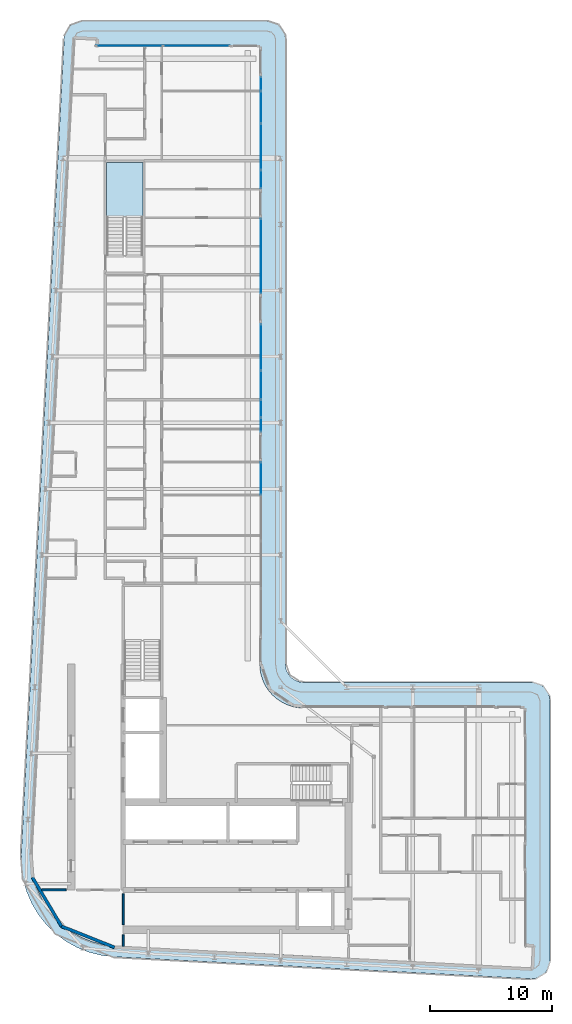
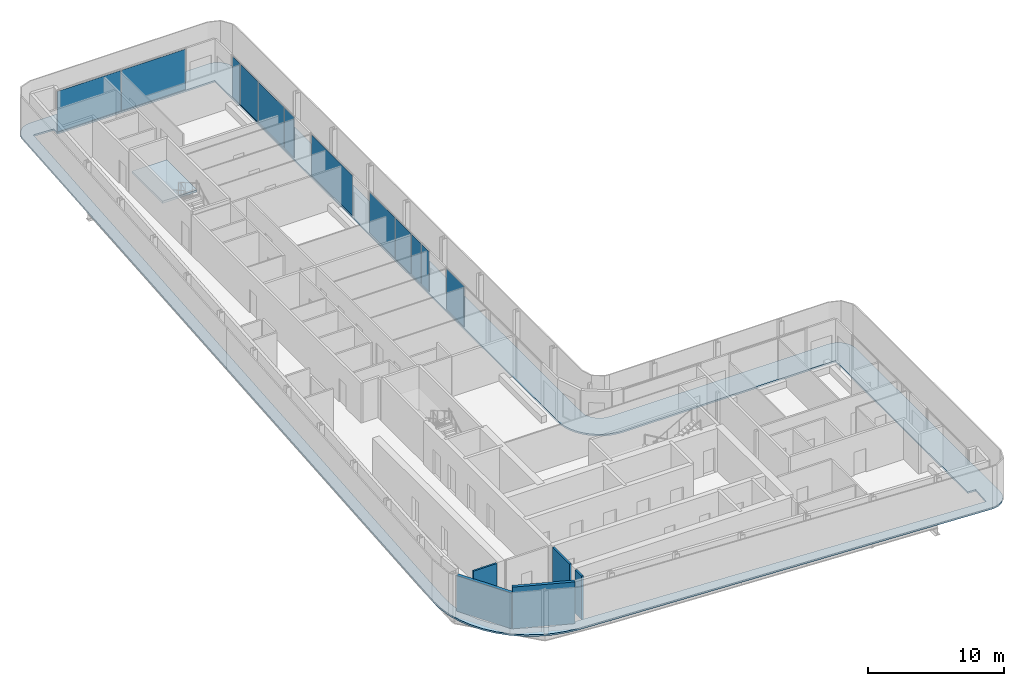
# One storey, part 10 of 21: 12 plates, 5 walls, 2 slabs, 8 elements without a shape of their own.
"""IFC4 building model written with IfcOpenShell, lengths in metres."""

from ifc_helpers import new_model, si_unit, direction, frame, frame_2d, origin, origin_2d, place, context, subcontext, project, spatial, polyline, rectangle, outline, extrude, material, layer, layer_set, type_object, element, aggregate, save


model = new_model("IFC4")

# Units and contexts
model_context = context("Model", 3, precision=1e-05, world=origin(), true_north=direction((0.0, 1.0)))
body_context = subcontext(model_context, "Body", "Model", "MODEL_VIEW")
ifc_project = project(units=[si_unit("LENGTHUNIT", "METRE"), si_unit("AREAUNIT", "SQUARE_METRE"), si_unit("VOLUMEUNIT", "CUBIC_METRE"), si_unit("PLANEANGLEUNIT", "RADIAN"), si_unit("MASSUNIT", "GRAM", prefix="KILO")], contexts=[model_context])

# Site, building, storey
site_placement = place(None, origin())
site = spatial("IfcSite", under=ifc_project, at=site_placement, CompositionType="ELEMENT")
building_placement = place(site_placement, origin())
building = spatial("IfcBuilding", under=site, at=building_placement, Name="Kheshtan School and Residences Tower", CompositionType="ELEMENT")
storey_placement = place(building_placement, frame((0.0, 0.0, 313.699951171875)))
storey = spatial("IfcBuildingStorey", under=building, at=storey_placement, Name="L74", CompositionType="ELEMENT", Elevation=313.699951171875)

# Curtain wall, plates
ifc_material_1 = material(Name="Clear low-e glass in thermally broken aluminium frame", Category="aluminium")
ifc_layer_1 = layer(ifc_material_1, 0.199951171875)
ifc_layer_set_1 = layer_set([ifc_layer_1], Name="Curtain wall CW-L")
curtain_wall_type = type_object("IfcCurtainWallType", Name="Curtain wall CW-L", PredefinedType="NOTDEFINED", material=ifc_layer_set_1)
curtain_wall_1_placement = place(storey_placement, origin())
curtain_wall_1 = element("IfcCurtainWall", 1, at=curtain_wall_1_placement, inside=storey, type_object=curtain_wall_type, Name="Curtain wall CWL7", PredefinedType="NOTDEFINED")
ifc_layer_2 = layer(ifc_material_1, 0.031982421875)
ifc_layer_set_2 = layer_set([ifc_layer_2], Name="CW-L glass panel")
plate_type = type_object("IfcPlateType", Name="CW-L glass panel", PredefinedType="CURTAIN_PANEL", material=ifc_layer_set_2)
plate_1_placement = place(storey_placement, frame((35.259033203125, 98.0, 0.0), z_axis=(0.0, 0.0, 1.0), x_axis=(1.0, 0.0, 0.0)))
plate_1 = element("IfcPlate", 2, at=plate_1_placement, type_object=plate_type, Name="CWL7 panel 1.1", PredefinedType="CURTAIN_PANEL", context=body_context, shape_type="SweptSolid", body=[
    extrude(rectangle(XDim=5.4140625, YDim=0.031982421875, at=origin_2d()), origin(), (0.0, 0.0, 1.0), 3.6298828125),
])
plate_2_placement = place(storey_placement, frame((40.73291015625, 98.0, 0.0), z_axis=(0.0, 0.0, 1.0), x_axis=(1.0, 0.0, 0.0)))
plate_2 = element("IfcPlate", 3, at=plate_2_placement, type_object=plate_type, Name="CWL7 panel 2.1", PredefinedType="CURTAIN_PANEL", context=body_context, shape_type="SweptSolid", body=[
    extrude(rectangle(XDim=5.4140625, YDim=0.031982421875, at=origin_2d()), origin(), (0.0, 0.0, 1.0), 3.6298828125),
])
aggregate(curtain_wall_1, [plate_1, plate_2])

curtain_wall_2_placement = place(storey_placement, origin())
curtain_wall_2 = element("IfcCurtainWall", 4, at=curtain_wall_2_placement, inside=storey, type_object=curtain_wall_type, Name="Curtain wall CWL8c", PredefinedType="NOTDEFINED")
plate_3_placement = place(storey_placement, frame((46.0, 94.885009765625, 0.0), z_axis=(0.0, 0.0, 1.0), x_axis=(0.0, -1.0, 0.0)))
plate_3 = element("IfcPlate", 5, at=plate_3_placement, type_object=plate_type, Name="CWL8c panel 1.1", PredefinedType="CURTAIN_PANEL", context=body_context, shape_type="SweptSolid", body=[
    extrude(rectangle(XDim=1.110107421875, YDim=0.031982421875, at=origin_2d()), origin(), (0.0, 0.0, 1.0), 3.6298828125),
])
plate_4_placement = place(storey_placement, frame((46.0, 92.9765625, 0.0), z_axis=(0.0, 0.0, 1.0), x_axis=(0.0, -1.0, 0.0)))
plate_4 = element("IfcPlate", 6, at=plate_4_placement, type_object=plate_type, Name="CWL8c panel 2.1", PredefinedType="CURTAIN_PANEL", context=body_context, shape_type="SweptSolid", body=[
    extrude(rectangle(XDim=2.5869140625, YDim=0.031982421875, at=origin_2d()), origin(), (0.0, 0.0, 1.0), 3.6298828125),
])
plate_5_placement = place(storey_placement, frame((46.0, 89.744384765625, 0.0), z_axis=(0.0, 0.0, 1.0), x_axis=(0.0, -1.0, 0.0)))
plate_5 = element("IfcPlate", 7, at=plate_5_placement, type_object=plate_type, Name="CWL8c panel 3.1", PredefinedType="CURTAIN_PANEL", context=body_context, shape_type="SweptSolid", body=[
    extrude(rectangle(XDim=3.757080078125, YDim=0.031982421875, at=origin_2d()), origin(), (0.0, 0.0, 1.0), 3.6298828125),
])
aggregate(curtain_wall_2, [plate_3, plate_4, plate_5])

# Curtain wall, plate
curtain_wall_3_placement = place(storey_placement, origin())
curtain_wall_3 = element("IfcCurtainWall", 8, at=curtain_wall_3_placement, inside=storey, type_object=curtain_wall_type, Name="Curtain wall CWL8a", PredefinedType="NOTDEFINED")
plate_6_placement = place(storey_placement, frame((46.0, 87.0859375, 0.0), z_axis=(0.0, 0.0, 1.0), x_axis=(0.0, -1.0, 0.0)))
plate_6 = element("IfcPlate", 9, at=plate_6_placement, type_object=plate_type, Name="CWL8a panel 1.1", PredefinedType="CURTAIN_PANEL", context=body_context, shape_type="SweptSolid", body=[
    extrude(rectangle(XDim=1.43994140625, YDim=0.031982421875, at=origin_2d()), origin(), (0.0, 0.0, 1.0), 3.6298828125),
])
aggregate(curtain_wall_3, [plate_6])

curtain_wall_4_placement = place(storey_placement, origin())
curtain_wall_4 = element("IfcCurtainWall", 10, at=curtain_wall_4_placement, inside=storey, type_object=curtain_wall_type, Name="Curtain wall CWL8d", PredefinedType="NOTDEFINED")
plate_7_placement = place(storey_placement, frame((46.0, 80.80908203125, 0.0), z_axis=(0.0, 0.0, 1.0), x_axis=(0.0, -1.0, 0.0)))
plate_7 = element("IfcPlate", 11, at=plate_7_placement, type_object=plate_type, Name="CWL8d panel 1.1", PredefinedType="CURTAIN_PANEL", context=body_context, shape_type="SweptSolid", body=[
    extrude(rectangle(XDim=6.073974609375, YDim=0.031982421875, at=origin_2d()), origin(), (0.0, 0.0, 1.0), 3.6298828125),
])
aggregate(curtain_wall_4, [plate_7])

# Curtain wall, plates
curtain_wall_5_placement = place(storey_placement, origin())
curtain_wall_5 = element("IfcCurtainWall", 12, at=curtain_wall_5_placement, inside=storey, type_object=curtain_wall_type, Name="Curtain wall CWL8c", PredefinedType="NOTDEFINED")
plate_8_placement = place(storey_placement, frame((46.0, 73.37353515625, 0.0), z_axis=(0.0, 0.0, 1.0), x_axis=(0.0, -1.0, 0.0)))
plate_8 = element("IfcPlate", 13, at=plate_8_placement, type_object=plate_type, Name="CWL8c panel 1.1", PredefinedType="CURTAIN_PANEL", context=body_context, shape_type="SweptSolid", body=[
    extrude(rectangle(XDim=3.757080078125, YDim=0.031982421875, at=origin_2d()), origin(), (0.0, 0.0, 1.0), 3.6298828125),
])
plate_9_placement = place(storey_placement, frame((46.0, 70.282470703125, 0.0), z_axis=(0.0, 0.0, 1.0), x_axis=(0.0, -1.0, 0.0)))
plate_9 = element("IfcPlate", 14, at=plate_9_placement, type_object=plate_type, Name="CWL8c panel 2.1", PredefinedType="CURTAIN_PANEL", context=body_context, shape_type="SweptSolid", body=[
    extrude(rectangle(XDim=2.304931640625, YDim=0.031982421875, at=origin_2d()), origin(), (0.0, 0.0, 1.0), 3.6298828125),
])
plate_10_placement = place(storey_placement, frame((46.0, 68.3740234375, 0.0), z_axis=(0.0, 0.0, 1.0), x_axis=(0.0, -1.0, 0.0)))
plate_10 = element("IfcPlate", 15, at=plate_10_placement, type_object=plate_type, Name="CWL8c panel 3.1", PredefinedType="CURTAIN_PANEL", context=body_context, shape_type="SweptSolid", body=[
    extrude(rectangle(XDim=1.39208984375, YDim=0.031982421875, at=origin_2d()), origin(), (0.0, 0.0, 1.0), 3.6298828125),
])
aggregate(curtain_wall_5, [plate_8, plate_9, plate_10])

# Curtain wall, plate
curtain_wall_6_placement = place(storey_placement, origin())
curtain_wall_6 = element("IfcCurtainWall", 16, at=curtain_wall_6_placement, inside=storey, type_object=curtain_wall_type, Name="Curtain wall CWL8g", PredefinedType="NOTDEFINED")
plate_11_placement = place(storey_placement, frame((46.0, 67.048095703125, 0.0), z_axis=(0.0, 0.0, 1.0), x_axis=(0.0, -1.0, 0.0)))
plate_11 = element("IfcPlate", 17, at=plate_11_placement, type_object=plate_type, Name="CWL8g panel 1.1", PredefinedType="CURTAIN_PANEL", context=body_context, shape_type="SweptSolid", body=[
    extrude(rectangle(XDim=1.139892578125, YDim=0.031982421875, at=origin_2d()), origin(), (0.0, 0.0, 1.0), 3.6298828125),
])
aggregate(curtain_wall_6, [plate_11])

curtain_wall_7_placement = place(storey_placement, origin())
curtain_wall_7 = element("IfcCurtainWall", 18, at=curtain_wall_7_placement, inside=storey, type_object=curtain_wall_type, Name="Curtain wall CWL8k", PredefinedType="NOTDEFINED")
plate_12_placement = place(storey_placement, frame((46.0, 62.64404296875, 0.0), z_axis=(0.0, 0.0, 1.0), x_axis=(0.0, -1.0, 0.0)))
plate_12 = element("IfcPlate", 19, at=plate_12_placement, type_object=plate_type, Name="CWL8k panel 1.1", PredefinedType="CURTAIN_PANEL", context=body_context, shape_type="SweptSolid", body=[
    extrude(rectangle(XDim=2.6279296875, YDim=0.031982421875, at=origin_2d()), origin(), (0.0, 0.0, 1.0), 3.6298828125),
])
aggregate(curtain_wall_7, [plate_12])

# Slab
ifc_material_2 = material(Name="Concrete C40/50", Category="concrete")
ifc_layer_3 = layer(ifc_material_2, 0.14990234375)
ifc_layer_set_3 = layer_set([ifc_layer_3], Name="Loggia balcony slab 150 Concrete C40/50")
slab_type_1 = type_object("IfcSlabType", Name="Loggia balcony slab 150 Concrete C40/50", PredefinedType="FLOOR", material=ifc_layer_set_3)
slab_1_placement = place(storey_placement, frame((0.0, 0.0, -0.14990234375)))
element("IfcSlab", 20, at=slab_1_placement, inside=storey, type_object=slab_type_1, Name="Loggia balcony slab L74", PredefinedType="FLOOR", context=body_context, shape_type="SweptSolid", body=[
    extrude(outline(polyline([(28.4580078125, 26.222900390625), (28.45703125, 26.222900390625), (28.45703125, 26.22412109375), (28.4560546875, 26.22412109375), (27.81494140625, 27.0390625), (27.281005859375, 27.93798828125), (26.867919921875, 28.89990234375), (26.583984375, 29.89990234375), (26.583984375, 29.906982421875), (26.43408203125, 30.943115234375), (26.419921875, 31.989013671875), (29.925048828125, 98.5791015625), (29.930908203125, 98.626953125), (29.930908203125, 98.6279296875), (29.929931640625, 98.6279296875), (29.929931640625, 98.62890625), (29.928955078125, 98.62890625), (29.928955078125, 98.6298828125), (29.927978515625, 98.6298828125), (29.927978515625, 98.631103515625), (29.927001953125, 98.631103515625), (29.927001953125, 98.632080078125), (29.927001953125, 98.633056640625), (29.945068359375, 98.781005859375), (29.945068359375, 98.783935546875), (29.945068359375, 98.784912109375), (29.946044921875, 98.784912109375), (29.946044921875, 98.785888671875), (29.947021484375, 98.785888671875), (29.947021484375, 98.787109375), (29.947998046875, 98.787109375), (29.948974609375, 98.787109375), (29.948974609375, 98.7880859375), (29.949951171875, 98.7880859375), (29.949951171875, 98.7890625), (29.949951171875, 98.791015625), (30.0029296875, 98.98388671875), (30.083984375, 99.175048828125), (30.18896484375, 99.35302734375), (30.31103515625, 99.507080078125), (30.31201171875, 99.507080078125), (30.31201171875, 99.508056640625), (30.31298828125, 99.508056640625), (30.31298828125, 99.509033203125), (30.31396484375, 99.509033203125), (30.31396484375, 99.510009765625), (30.31494140625, 99.510009765625), (30.31494140625, 99.510986328125), (30.31591796875, 99.510986328125), (30.31591796875, 99.511962890625), (30.31689453125, 99.511962890625), (30.31689453125, 99.512939453125), (30.318115234375, 99.512939453125), (30.320068359375, 99.512939453125), (30.321044921875, 99.512939453125), (30.321044921875, 99.513916015625), (30.468017578125, 99.656982421875), (30.468994140625, 99.656982421875), (30.468994140625, 99.657958984375), (30.469970703125, 99.657958984375), (30.469970703125, 99.658935546875), (30.470947265625, 99.658935546875), (30.470947265625, 99.659912109375), (30.471923828125, 99.659912109375), (30.471923828125, 99.660888671875), (30.472900390625, 99.660888671875), (30.472900390625, 99.662109375), (30.47412109375, 99.662109375), (30.47412109375, 99.6630859375), (30.47509765625, 99.6630859375), (30.47509765625, 99.6640625), (30.635986328125, 99.777099609375), (30.820068359375, 99.873046875), (31.007080078125, 99.943115234375), (31.013916015625, 99.943115234375), (31.217041015625, 99.986083984375), (31.423095703125, 100.0), (46.5, 100.0), (46.696044921875, 99.987060546875), (46.887939453125, 99.948974609375), (46.89501953125, 99.948974609375), (47.073974609375, 99.885986328125), (47.242919921875, 99.801025390625), (47.243896484375, 99.801025390625), (47.2470703125, 99.801025390625), (47.248046875, 99.801025390625), (47.248046875, 99.802001953125), (47.2490234375, 99.802001953125), (47.2490234375, 99.802978515625), (47.25, 99.802978515625), (47.2529296875, 99.802978515625), (47.25390625, 99.802978515625), (47.25390625, 99.802001953125), (47.2548828125, 99.802001953125), (47.2548828125, 99.801025390625), (47.256103515625, 99.801025390625), (47.256103515625, 99.800048828125), (47.257080078125, 99.800048828125), (47.257080078125, 99.799072265625), (47.258056640625, 99.799072265625), (47.258056640625, 99.798095703125), (47.412109375, 99.696044921875), (47.4130859375, 99.696044921875), (47.4130859375, 99.695068359375), (47.4140625, 99.695068359375), (47.4140625, 99.694091796875), (47.4140625, 99.68994140625), (47.4140625, 99.68896484375), (47.4150390625, 99.68896484375), (47.4150390625, 99.68798828125), (47.416015625, 99.68798828125), (47.416015625, 99.68701171875), (47.4169921875, 99.68701171875), (47.4169921875, 99.68603515625), (47.554931640625, 99.568115234375), (47.554931640625, 99.56689453125), (47.555908203125, 99.56689453125), (47.555908203125, 99.56591796875), (47.556884765625, 99.56591796875), (47.556884765625, 99.56494140625), (47.55810546875, 99.56494140625), (47.55810546875, 99.56396484375), (47.55908203125, 99.56396484375), (47.55908203125, 99.56298828125), (47.56005859375, 99.56298828125), (47.56005859375, 99.56201171875), (47.56103515625, 99.56201171875), (47.56201171875, 99.56103515625), (47.56201171875, 99.56005859375), (47.56298828125, 99.56005859375), (47.56298828125, 99.55908203125), (47.56396484375, 99.55908203125), (47.56396484375, 99.55810546875), (47.56494140625, 99.55810546875), (47.56494140625, 99.556884765625), (47.56591796875, 99.556884765625), (47.56591796875, 99.555908203125), (47.56689453125, 99.555908203125), (47.56689453125, 99.554931640625), (47.568115234375, 99.554931640625), (47.68505859375, 99.41796875), (47.68603515625, 99.41796875), (47.68603515625, 99.4169921875), (47.68701171875, 99.4169921875), (47.68701171875, 99.416015625), (47.68798828125, 99.416015625), (47.68798828125, 99.4150390625), (47.68896484375, 99.4150390625), (47.68896484375, 99.4140625), (47.68994140625, 99.4140625), (47.694091796875, 99.4140625), (47.695068359375, 99.4140625), (47.695068359375, 99.4130859375), (47.696044921875, 99.4130859375), (47.696044921875, 99.412109375), (47.797119140625, 99.259033203125), (47.798095703125, 99.259033203125), (47.798095703125, 99.258056640625), (47.799072265625, 99.258056640625), (47.799072265625, 99.257080078125), (47.800048828125, 99.257080078125), (47.800048828125, 99.256103515625), (47.801025390625, 99.256103515625), (47.801025390625, 99.2548828125), (47.802001953125, 99.2548828125), (47.802001953125, 99.25390625), (47.802978515625, 99.25390625), (47.802978515625, 99.2529296875), (47.802978515625, 99.25), (47.802978515625, 99.2490234375), (47.802001953125, 99.2490234375), (47.802001953125, 99.248046875), (47.801025390625, 99.248046875), (47.801025390625, 99.2470703125), (47.801025390625, 99.243896484375), (47.801025390625, 99.242919921875), (47.885986328125, 99.073974609375), (47.948974609375, 98.89501953125), (47.948974609375, 98.887939453125), (47.987060546875, 98.696044921875), (48.0, 98.5), (48.0, 47.5), (48.012939453125, 47.303955078125), (48.051025390625, 47.113037109375), (48.051025390625, 47.10693359375), (48.051025390625, 47.10595703125), (48.114013671875, 46.926025390625), (48.200927734375, 46.75), (48.31005859375, 46.5869140625), (48.431884765625, 46.444091796875), (48.43310546875, 46.444091796875), (48.43310546875, 46.443115234375), (48.43408203125, 46.443115234375), (48.43408203125, 46.44189453125), (48.43505859375, 46.44189453125), (48.43505859375, 46.44091796875), (48.43603515625, 46.44091796875), (48.43603515625, 46.43994140625), (48.43701171875, 46.43994140625), (48.43701171875, 46.43896484375), (48.43798828125, 46.43896484375), (48.43896484375, 46.43798828125), (48.43896484375, 46.43701171875), (48.43994140625, 46.43701171875), (48.43994140625, 46.43603515625), (48.44091796875, 46.43603515625), (48.44091796875, 46.43505859375), (48.44189453125, 46.43505859375), (48.44189453125, 46.43408203125), (48.443115234375, 46.43408203125), (48.443115234375, 46.43310546875), (48.444091796875, 46.43310546875), (48.444091796875, 46.431884765625), (48.5869140625, 46.31005859375), (48.75, 46.200927734375), (48.926025390625, 46.114013671875), (49.10595703125, 46.051025390625), (49.10693359375, 46.051025390625), (49.113037109375, 46.051025390625), (49.303955078125, 46.012939453125), (49.5, 46.0), (68.10009765625, 46.0), (68.2958984375, 45.987060546875), (68.488037109375, 45.948974609375), (68.4951171875, 45.948974609375), (68.674072265625, 45.885986328125), (68.842041015625, 45.801025390625), (68.843017578125, 45.801025390625), (68.846923828125, 45.801025390625), (68.847900390625, 45.801025390625), (68.847900390625, 45.802001953125), (68.84912109375, 45.802001953125), (68.84912109375, 45.802978515625), (68.85009765625, 45.802978515625), (68.85302734375, 45.802978515625), (68.85400390625, 45.802978515625), (68.85400390625, 45.802001953125), (68.85498046875, 45.802001953125), (68.85498046875, 45.801025390625), (68.85595703125, 45.801025390625), (68.85595703125, 45.800048828125), (68.85693359375, 45.800048828125), (68.85693359375, 45.799072265625), (68.85791015625, 45.799072265625), (68.85791015625, 45.798095703125), (68.85888671875, 45.798095703125), (68.85888671875, 45.797119140625), (68.860107421875, 45.797119140625), (68.860107421875, 45.7958984375), (69.011962890625, 45.696044921875), (69.012939453125, 45.696044921875), (69.012939453125, 45.695068359375), (69.013916015625, 45.695068359375), (69.013916015625, 45.694091796875), (69.013916015625, 45.68994140625), (69.013916015625, 45.68896484375), (69.014892578125, 45.68896484375), (69.014892578125, 45.68798828125), (69.01611328125, 45.68798828125), (69.01611328125, 45.68701171875), (69.01708984375, 45.68701171875), (69.01708984375, 45.68603515625), (69.01806640625, 45.68603515625), (69.01806640625, 45.68505859375), (69.01904296875, 45.68505859375), (69.01904296875, 45.68408203125), (69.155029296875, 45.568115234375), (69.155029296875, 45.56689453125), (69.156005859375, 45.56689453125), (69.156005859375, 45.56591796875), (69.156982421875, 45.56591796875), (69.156982421875, 45.56494140625), (69.157958984375, 45.56494140625), (69.157958984375, 45.56396484375), (69.158935546875, 45.56396484375), (69.158935546875, 45.56298828125), (69.159912109375, 45.56298828125), (69.159912109375, 45.56201171875), (69.160888671875, 45.56201171875), (69.162109375, 45.56103515625), (69.162109375, 45.56005859375), (69.1630859375, 45.56005859375), (69.1630859375, 45.55908203125), (69.1640625, 45.55908203125), (69.1640625, 45.55810546875), (69.1650390625, 45.55810546875), (69.1650390625, 45.556884765625), (69.166015625, 45.556884765625), (69.166015625, 45.555908203125), (69.1669921875, 45.555908203125), (69.1669921875, 45.554931640625), (69.16796875, 45.554931640625), (69.281982421875, 45.4208984375), (69.282958984375, 45.4208984375), (69.282958984375, 45.419921875), (69.283935546875, 45.419921875), (69.283935546875, 45.4189453125), (69.284912109375, 45.4189453125), (69.284912109375, 45.41796875), (69.285888671875, 45.41796875), (69.285888671875, 45.4169921875), (69.287109375, 45.4169921875), (69.287109375, 45.416015625), (69.2880859375, 45.416015625), (69.2880859375, 45.4150390625), (69.2890625, 45.4150390625), (69.2890625, 45.4140625), (69.2900390625, 45.4140625), (69.2939453125, 45.4140625), (69.294921875, 45.4140625), (69.294921875, 45.4130859375), (69.2958984375, 45.4130859375), (69.2958984375, 45.412109375), (69.39404296875, 45.261962890625), (69.39501953125, 45.261962890625), (69.39501953125, 45.260986328125), (69.39599609375, 45.260986328125), (69.39599609375, 45.260009765625), (69.39697265625, 45.260009765625), (69.39697265625, 45.259033203125), (69.39794921875, 45.259033203125), (69.39794921875, 45.258056640625), (69.39892578125, 45.258056640625), (69.39892578125, 45.257080078125), (69.39990234375, 45.257080078125), (69.39990234375, 45.256103515625), (69.40087890625, 45.256103515625), (69.40087890625, 45.2548828125), (69.402099609375, 45.2548828125), (69.402099609375, 45.25390625), (69.403076171875, 45.25390625), (69.403076171875, 45.2529296875), (69.403076171875, 45.25), (69.403076171875, 45.2490234375), (69.402099609375, 45.2490234375), (69.402099609375, 45.248046875), (69.40087890625, 45.248046875), (69.40087890625, 45.2470703125), (69.40087890625, 45.240966796875), (69.40087890625, 45.239990234375), (69.486083984375, 45.073974609375), (69.549072265625, 44.89501953125), (69.549072265625, 44.887939453125), (69.5869140625, 44.696044921875), (69.60009765625, 44.5), (69.60009765625, 23.285888671875), (69.5859375, 23.083984375), (69.544921875, 22.885009765625), (69.544921875, 22.8779296875), (69.47802734375, 22.694091796875), (69.385986328125, 22.513916015625), (69.27099609375, 22.347900390625), (69.27099609375, 22.346923828125), (69.27099609375, 22.345947265625), (69.27099609375, 22.344970703125), (69.27197265625, 22.344970703125), (69.27197265625, 22.343994140625), (69.27197265625, 22.342041015625), (69.27197265625, 22.341064453125), (69.27099609375, 22.341064453125), (69.27099609375, 22.340087890625), (69.137939453125, 22.197021484375), (69.135009765625, 22.194091796875), (69.134033203125, 22.194091796875), (69.134033203125, 22.193115234375), (69.133056640625, 22.193115234375), (69.131103515625, 22.193115234375), (69.1298828125, 22.193115234375), (69.1298828125, 22.194091796875), (69.12890625, 22.194091796875), (69.1279296875, 22.194091796875), (69.126953125, 22.194091796875), (68.97607421875, 22.069091796875), (68.803955078125, 21.9619140625), (68.618896484375, 21.87890625), (68.430908203125, 21.822021484375), (68.424072265625, 21.822021484375), (68.22412109375, 21.791015625), (68.02099609375, 21.7880859375), (33.989013671875, 23.580078125), (33.94189453125, 23.5859375), (33.94091796875, 23.5859375), (33.93994140625, 23.5859375), (33.93994140625, 23.5849609375), (33.93896484375, 23.5849609375), (33.93896484375, 23.583984375), (33.93798828125, 23.583984375), (33.93798828125, 23.5830078125), (33.93701171875, 23.5830078125), (33.93701171875, 23.58203125), (33.93603515625, 23.58203125), (33.93505859375, 23.58203125), (32.952880859375, 23.697998046875), (32.949951171875, 23.697998046875), (32.948974609375, 23.697998046875), (32.948974609375, 23.698974609375), (32.947998046875, 23.698974609375), (32.947998046875, 23.699951171875), (32.947021484375, 23.699951171875), (32.947021484375, 23.700927734375), (32.947021484375, 23.702880859375), (32.947021484375, 23.7041015625), (32.946044921875, 23.7041015625), (32.946044921875, 23.705078125), (32.945068359375, 23.705078125), (32.944091796875, 23.705078125), (31.93603515625, 23.9609375), (31.928955078125, 23.9609375), (30.964111328125, 24.34912109375), (30.051025390625, 24.860107421875), (29.218994140625, 25.47900390625), (29.218994140625, 25.47998046875), (29.218017578125, 25.47998046875), (29.218017578125, 25.48095703125), (29.217041015625, 25.48095703125), (29.217041015625, 25.48193359375), (29.216064453125, 25.48193359375), (29.216064453125, 25.48291015625), (29.215087890625, 25.48291015625), (29.215087890625, 25.48388671875), (29.214111328125, 25.48388671875), (29.214111328125, 25.485107421875), (29.212890625, 25.485107421875), (29.212890625, 25.486083984375), (29.2119140625, 25.486083984375), (28.466064453125, 26.217041015625), (28.466064453125, 26.218017578125), (28.465087890625, 26.218017578125), (28.462890625, 26.218017578125), (28.4619140625, 26.218017578125), (28.4619140625, 26.218994140625), (28.4609375, 26.218994140625), (28.4609375, 26.219970703125), (28.4599609375, 26.219970703125), (28.4599609375, 26.220947265625), (28.458984375, 26.220947265625), (28.458984375, 26.221923828125), (28.4580078125, 26.221923828125), (28.4580078125, 26.222900390625)]), holes=[polyline([(29.12890625, 26.824951171875), (29.12890625, 26.823974609375), (29.1298828125, 26.823974609375), (29.1298828125, 26.822998046875), (29.131103515625, 26.822998046875), (29.131103515625, 26.822021484375), (29.132080078125, 26.822021484375), (29.132080078125, 26.821044921875), (29.133056640625, 26.821044921875), (29.133056640625, 26.820068359375), (29.134033203125, 26.820068359375), (29.794921875, 26.173095703125), (29.794921875, 26.172119140625), (29.7958984375, 26.172119140625), (29.798095703125, 26.172119140625), (29.799072265625, 26.172119140625), (29.799072265625, 26.1708984375), (29.800048828125, 26.1708984375), (29.800048828125, 26.169921875), (29.801025390625, 26.169921875), (29.801025390625, 26.1689453125), (29.802001953125, 26.1689453125), (29.802001953125, 26.16796875), (29.802978515625, 26.16796875), (29.802978515625, 26.1669921875), (29.803955078125, 26.1669921875), (29.803955078125, 26.166015625), (30.541015625, 25.616943359375), (31.35205078125, 25.1630859375), (32.208984375, 24.819091796875), (32.2099609375, 24.819091796875), (32.216064453125, 24.819091796875), (33.114990234375, 24.590087890625), (34.06591796875, 24.47705078125), (68.0380859375, 22.68798828125), (68.06494140625, 22.68896484375), (68.06591796875, 22.68896484375), (68.06689453125, 22.68896484375), (68.06689453125, 22.68994140625), (68.068115234375, 22.68994140625), (68.068115234375, 22.69091796875), (68.068115234375, 22.69189453125), (68.157958984375, 24.381103515625), (68.157958984375, 24.382080078125), (68.157958984375, 24.383056640625), (68.156982421875, 24.383056640625), (68.156982421875, 24.384033203125), (68.156005859375, 24.384033203125), (68.155029296875, 24.384033203125), (67.5009765625, 24.4189453125), (67.5, 24.4189453125), (67.5, 24.419921875), (67.5, 43.89794921875), (67.5, 43.89892578125), (67.4990234375, 43.89892578125), (67.4990234375, 43.89990234375), (67.498046875, 43.89990234375), (49.429931640625, 43.89990234375), (49.030029296875, 43.927001953125), (48.569091796875, 44.01806640625), (48.56201171875, 44.01806640625), (48.1201171875, 44.169921875), (47.697021484375, 44.37890625), (47.30810546875, 44.638916015625), (46.95703125, 44.944091796875), (46.95703125, 44.945068359375), (46.9560546875, 44.945068359375), (46.9560546875, 44.946044921875), (46.955078125, 44.946044921875), (46.955078125, 44.947021484375), (46.9541015625, 44.947021484375), (46.9541015625, 44.947998046875), (46.952880859375, 44.947998046875), (46.952880859375, 44.948974609375), (46.951904296875, 44.948974609375), (46.951904296875, 44.949951171875), (46.951904296875, 44.950927734375), (46.950927734375, 44.950927734375), (46.950927734375, 44.951904296875), (46.949951171875, 44.951904296875), (46.948974609375, 44.951904296875), (46.948974609375, 44.952880859375), (46.947998046875, 44.952880859375), (46.947998046875, 44.9541015625), (46.947021484375, 44.9541015625), (46.947021484375, 44.955078125), (46.946044921875, 44.955078125), (46.946044921875, 44.9560546875), (46.945068359375, 44.9560546875), (46.945068359375, 44.95703125), (46.944091796875, 44.95703125), (46.638916015625, 45.30810546875), (46.37890625, 45.697021484375), (46.169921875, 46.1201171875), (46.01806640625, 46.56201171875), (46.01806640625, 46.569091796875), (45.927001953125, 47.030029296875), (45.89990234375, 47.429931640625), (45.89990234375, 97.89794921875), (45.89990234375, 97.89892578125), (45.89892578125, 97.89892578125), (45.89892578125, 97.89990234375), (45.89794921875, 97.89990234375), (32.492919921875, 97.89990234375), (32.491943359375, 97.89990234375), (32.52099609375, 98.43896484375), (32.52099609375, 98.43994140625), (32.52099609375, 98.44091796875), (32.52001953125, 98.44091796875), (32.52001953125, 98.44189453125), (32.51904296875, 98.44189453125), (32.51806640625, 98.44189453125), (30.8291015625, 98.531982421875), (30.827880859375, 98.531982421875), (30.826904296875, 98.531982421875), (30.826904296875, 98.531005859375), (30.825927734375, 98.531005859375), (30.825927734375, 98.530029296875), (30.825927734375, 98.529052734375), (30.822021484375, 98.5009765625), (27.320068359375, 31.970947265625), (27.3330078125, 31.013916015625), (27.466064453125, 30.093994140625), (27.466064453125, 30.087890625), (27.466064453125, 30.0869140625), (27.718017578125, 29.200927734375), (28.0849609375, 28.345947265625), (28.55908203125, 27.550048828125), (29.126953125, 26.825927734375), (29.1279296875, 26.825927734375), (29.1279296875, 26.824951171875), (29.12890625, 26.824951171875)])]), origin(), (0.0, 0.0, 1.0), 0.14990234375),
])

# Stair, slab
stair_type = type_object("IfcStairType", Name="Exit stair, half-turn", PredefinedType="HALF_TURN_STAIR", material=ifc_material_2)
stair_placement = place(storey_placement, origin())
stair = element("IfcStair", 21, at=stair_placement, inside=storey, type_object=stair_type, Name="L74 Protected Exit Stair ST3", PredefinedType="HALF_TURN_STAIR")
ifc_layer_4 = layer(ifc_material_2, 0.199951171875)
ifc_layer_set_4 = layer_set([ifc_layer_4], Name="Stair landing 200 Concrete C40/50")
slab_type_2 = type_object("IfcSlabType", Name="Stair landing 200 Concrete C40/50", PredefinedType="LANDING", material=ifc_layer_set_4)
slab_2_placement = place(storey_placement, frame((0.0, 0.0, 1.75)))
slab_2 = element("IfcSlab", 22, at=slab_2_placement, type_object=slab_type_2, Name="ST3 landing 1", PredefinedType="LANDING", context=body_context, shape_type="SweptSolid", body=[
    extrude(outline(polyline([(36.35009765625, 83.97998046875), (36.35009765625, 88.4599609375), (33.39990234375, 88.4599609375), (33.39990234375, 83.97998046875), (36.35009765625, 83.97998046875)])), origin(), (0.0, 0.0, 1.0), 0.199951171875),
])
aggregate(stair, [slab_2])

# Walls
ifc_material_3 = material(Name="Concrete C40/50 with ceramic cladding and mineral wool insulation", Category="concrete")
ifc_layer_5 = layer(ifc_material_3, 0.25)
ifc_layer_set_5 = layer_set([ifc_layer_5], Name="External wall 250 ceramic clad")
wall_type_1 = type_object("IfcWallType", Name="External wall 250 ceramic clad", PredefinedType="SOLIDWALL", material=ifc_layer_set_5)
wall_1_placement = place(storey_placement, frame((34.0390625, 24.35302734375, 0.0), z_axis=(0.0, 0.0, 1.0), x_axis=(-0.929352825399, 0.369192803184, 0.0)))
element("IfcWall", 23, at=wall_1_placement, inside=storey, type_object=wall_type_1, Name="External wall L74 1", PredefinedType="SOLIDWALL", context=body_context, shape_type="SweptSolid", body=[
    extrude(rectangle(XDim=4.656005859375, YDim=0.25, at=frame_2d((2.328125, 0.0))), origin(), (0.0, 0.0, 1.0), 3.75),
])
wall_2_placement = place(storey_placement, frame((29.7119140625, 26.072021484375, 0.0), z_axis=(0.0, 0.0, 1.0), x_axis=(-0.511028049012, 0.859564036662, 0.0)))
element("IfcWall", 24, at=wall_2_placement, inside=storey, type_object=wall_type_1, Name="External wall L74 2", PredefinedType="SOLIDWALL", context=body_context, shape_type="SweptSolid", body=[
    extrude(rectangle(XDim=4.633544921875, YDim=0.25, at=frame_2d((2.31689453125, 0.0))), origin(), (0.0, 0.0, 1.0), 3.217041015625),
])
ifc_material_4 = material(Name="Fire-board shaft wall system")
ifc_layer_6 = layer(ifc_material_4, 0.14990234375)
ifc_layer_set_6 = layer_set([ifc_layer_6], Name="Service room wall 150")
wall_type_2 = type_object("IfcWallType", Name="Service room wall 150", PredefinedType="PARTITIONING", material=ifc_layer_set_6)
wall_3_placement = place(storey_placement, frame((34.75, 24.444091796875, 0.0), z_axis=(0.0, 0.0, 1.0), x_axis=(0.0, 1.0, 0.0)))
element("IfcWall", 25, at=wall_3_placement, inside=storey, type_object=wall_type_2, Name="Service room wall", PredefinedType="PARTITIONING", context=body_context, shape_type="SweptSolid", body=[
    extrude(rectangle(XDim=0.935791015625, YDim=0.14990234375, at=frame_2d((0.4677734375, 0.0))), origin(), (0.0, 0.0, 1.0), 3.900146484375),
])
wall_4_placement = place(storey_placement, frame((34.75, 26.219970703125, 0.0), z_axis=(0.0, 0.0, 1.0), x_axis=(0.0, 1.0, 0.0)))
element("IfcWall", 26, at=wall_4_placement, inside=storey, type_object=wall_type_2, Name="Service room wall", PredefinedType="PARTITIONING", context=body_context, shape_type="SweptSolid", body=[
    extrude(rectangle(XDim=2.510009765625, YDim=0.14990234375, at=frame_2d((1.2548828125, 0.0))), origin(), (0.0, 0.0, 1.0), 3.900146484375),
])
wall_5_placement = place(storey_placement, frame((28.089111328125, 29.050048828125, 0.0), z_axis=(0.0, 0.0, 1.0), x_axis=(1.0, 0.0, 0.0)))
element("IfcWall", 27, at=wall_5_placement, inside=storey, type_object=wall_type_2, Name="Service room wall", PredefinedType="PARTITIONING", context=body_context, shape_type="SweptSolid", body=[
    extrude(rectangle(XDim=1.990966796875, YDim=0.14990234375, at=frame_2d((0.99560546875, 0.0))), origin(), (0.0, 0.0, 1.0), 3.900146484375),
])

save(model, "model.ifc")
